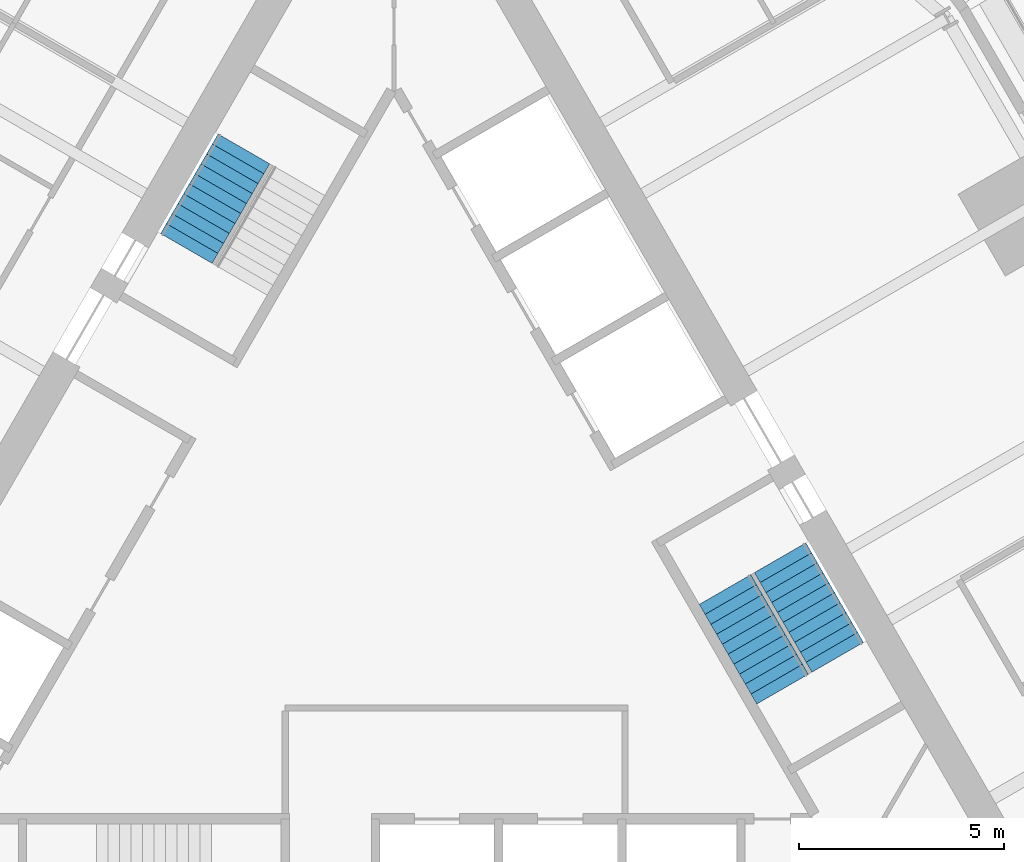
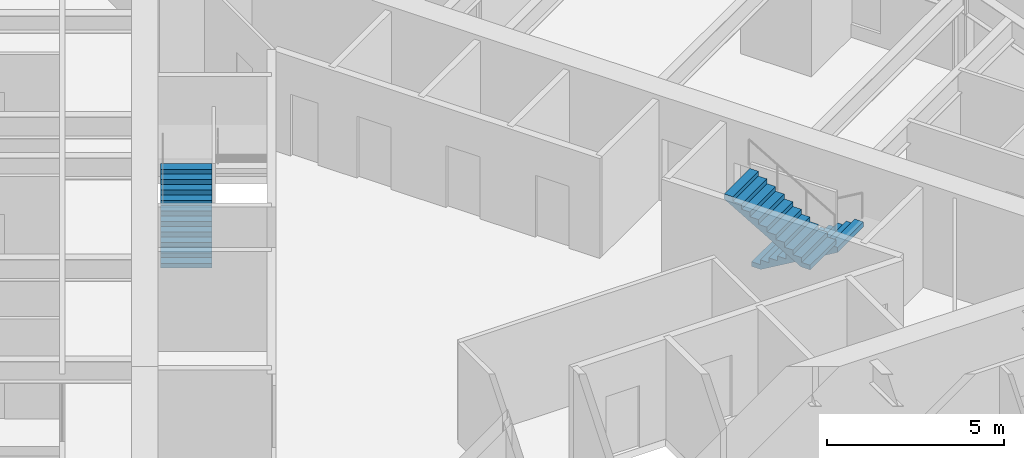
# One storey, part 12 of 13: 3 stair flights, 2 elements without a shape of their own.
"""IFC4 building model written with IfcOpenShell, lengths in metres."""

import ifcopenshell
import ifcopenshell.guid

model = None  # the IFC model being written
_history = None  # IfcOwnerHistory: only IFC2X3 demands one
_inside = {}  # id of a spatial element -> (the spatial element, [elements in it])
_under = {}  # id of a project, library or spatial element -> (it, [spatial elements below it])
_declared = {}  # id of a project -> (the project, [libraries it declares])
_typed = {}  # id of a type object -> (the type object, [elements of that type])
_made_of = {}  # id of a material, layer set ... -> (it, [elements and type objects made of it])


def new_model(schema):
    """Start an empty IFC model of exactly this schema.

    Asked for "IFC4X3", IfcOpenShell would pick the latest addendum, in which some entities
    have other attributes; the version numbers below select the first issue.
    IFC2X3 requires an IfcOwnerHistory on every rooted entity: one is made here for all.
    """
    global model, _history
    if schema == "IFC4X3":
        model = ifcopenshell.file(schema_version=(4, 3, 0, 0))
    else:
        model = ifcopenshell.file(schema=schema)
    _inside.clear()
    _under.clear()
    _declared.clear()
    _typed.clear()
    _made_of.clear()
    _history = None
    if model.schema == "IFC2X3":
        org = make("IfcOrganization", Name="unknown")
        user = make(
            "IfcPersonAndOrganization",
            ThePerson=make("IfcPerson", FamilyName="unknown"),
            TheOrganization=org,
        )
        app = make(
            "IfcApplication",
            ApplicationDeveloper=org,
            Version="unknown",
            ApplicationFullName="unknown",
            ApplicationIdentifier="unknown",
        )
        _history = make(
            "IfcOwnerHistory",
            OwningUser=user,
            OwningApplication=app,
            ChangeAction="ADDED",
            CreationDate=0,
        )
    return model


def make(cls, **values):
    """One entity of the class cls with the attributes given. An attribute that is None is left unset."""
    return model.create_entity(
        cls, **{name: value for name, value in values.items() if value is not None}
    )


def rooted(cls, **values):
    """An entity with a GlobalId (a new one), such as an element, a storey or a relation."""
    return make(cls, GlobalId=ifcopenshell.guid.new(), OwnerHistory=_history, **values)


def si_unit(unit_type, name, prefix=None):
    """IfcSIUnit, for example si_unit("LENGTHUNIT", "METRE", prefix="MILLI")."""
    return make("IfcSIUnit", UnitType=unit_type, Prefix=prefix, Name=name)


def assignment(units):
    """IfcUnitAssignment: the units of a project."""
    return None if units is None else make("IfcUnitAssignment", Units=units)


def point(xyz):
    """IfcCartesianPoint."""
    return None if xyz is None else make("IfcCartesianPoint", Coordinates=xyz)


def direction(xyz):
    """IfcDirection."""
    return None if xyz is None else make("IfcDirection", DirectionRatios=xyz)


def frame(location, z_axis=None, x_axis=None):
    """IfcAxis2Placement3D, a coordinate frame: its origin and axes. An axis left out is left unset."""
    return make(
        "IfcAxis2Placement3D",
        Location=point(location),
        Axis=direction(z_axis),
        RefDirection=direction(x_axis),
    )


def origin():
    """The frame at (0, 0, 0) with its axes left unset."""
    return frame((0.0, 0.0, 0.0))


def place(relative_to, where):
    """IfcLocalPlacement: puts the frame where relative to a parent placement (None: the world)."""
    return make(
        "IfcLocalPlacement", PlacementRelTo=relative_to, RelativePlacement=where
    )


def context(
    kind, dimensions, precision=None, world=None, true_north=None, identifier=None
):
    """IfcGeometricRepresentationContext, for example the 3D "Model" context."""
    return make(
        "IfcGeometricRepresentationContext",
        ContextIdentifier=identifier,
        ContextType=kind,
        CoordinateSpaceDimension=dimensions,
        Precision=precision,
        WorldCoordinateSystem=world,
        TrueNorth=true_north,
    )


def subcontext(parent, identifier, kind, view, scale=None):
    """IfcGeometricRepresentationSubContext, for example "Body" below "Model"."""
    return make(
        "IfcGeometricRepresentationSubContext",
        ContextIdentifier=identifier,
        ContextType=kind,
        ParentContext=parent,
        TargetScale=scale,
        TargetView=view,
    )


def project(units=None, contexts=None):
    """IfcProject with its units and contexts."""
    return rooted(
        "IfcProject",
        Name="project",
        RepresentationContexts=contexts,
        UnitsInContext=assignment(units),
    )


def spatial(cls, under=None, at=None, **own):
    """A site, building, storey or space (cls), placed at a placement, below another one or the project."""
    s = rooted(cls, ObjectPlacement=at, **own)
    if under is not None:
        _under.setdefault(under.id(), (under, []))[1].append(s)
    return s


def polyline(points):
    """IfcPolyline through the points."""
    return make("IfcPolyline", Points=[point(p) for p in points])


def outline(outer, holes=None, kind="AREA"):
    """IfcArbitraryClosedProfileDef: a profile drawn as a closed curve; with holes, ...WithVoids."""
    if holes is None:
        return make("IfcArbitraryClosedProfileDef", ProfileType=kind, OuterCurve=outer)
    return make(
        "IfcArbitraryProfileDefWithVoids",
        ProfileType=kind,
        OuterCurve=outer,
        InnerCurves=holes,
    )


def extrude(swept, where, along, depth):
    """IfcExtrudedAreaSolid: the profile swept, set in the frame where, extruded along a direction by depth."""
    return make(
        "IfcExtrudedAreaSolid",
        SweptArea=swept,
        Position=where,
        ExtrudedDirection=direction(along),
        Depth=depth,
    )


def shape(context_of_items, identifier, shape_type, items):
    """IfcShapeRepresentation: the items that make up one representation, for example the "Body"."""
    return make(
        "IfcShapeRepresentation",
        ContextOfItems=context_of_items,
        RepresentationIdentifier=identifier,
        RepresentationType=shape_type,
        Items=items,
    )


def material(Name=None, Category=None):
    """IfcMaterial."""
    return make("IfcMaterial", Name=Name, Category=Category)


def made_of(thing, what):
    """Note that an element or type object is made of a material, layer set ...; save() writes the relation."""
    if what is not None:
        _made_of.setdefault(what.id(), (what, []))[1].append(thing)
    return thing


def type_object(cls, material=None, **own):
    """A type object (cls), such as IfcWallType, which elements share."""
    return made_of(rooted(cls, **own), material)


def element(
    cls,
    number,
    at=None,
    inside=None,
    cuts=None,
    type_object=None,
    material=None,
    context=None,
    identifier="Body",
    shape_type=None,
    held_by="IfcProductDefinitionShape",
    body=None,
    shapes=None,
    **own,
):
    """One element of the class cls, such as IfcWall. Its Tag is "e" and its number.

    at: its placement. inside: the storey or other place that contains it. cuts: it is an
    opening in that element (IfcRelVoidsElement). A single representation is given by context,
    identifier, shape_type and body (its items); several are given by shapes. held_by: the class
    of the entity that holds the representations. save() writes the other relations.
    """
    e = rooted(cls, Tag="e%d" % number, ObjectPlacement=at, **own)
    if body is not None:
        shapes = [shape(context, identifier, shape_type, body)]
    if shapes is not None:
        e.Representation = make(held_by, Representations=shapes)
    if inside is not None:
        _inside.setdefault(inside.id(), (inside, []))[1].append(e)
    if cuts is not None:
        rooted(
            "IfcRelVoidsElement", RelatingBuildingElement=cuts, RelatedOpeningElement=e
        )
    if type_object is not None:
        _typed.setdefault(type_object.id(), (type_object, []))[1].append(e)
    return made_of(e, material)


def aggregate(whole, parts):
    """IfcRelAggregates: a whole, such as a stair, and the parts it consists of."""
    return rooted("IfcRelAggregates", RelatingObject=whole, RelatedObjects=parts)


def save(model, path):
    """Write the relations noted so far, then the file.

    IfcRelAggregates (storeys below a building ...), IfcRelContainedInSpatialStructure (elements
    in a storey), IfcRelDefinesByType, IfcRelAssociatesMaterial and IfcRelDeclares: one each for
    every whole, place, type object, material and project.
    """
    for whole, parts in _under.values():
        aggregate(whole, parts)
    for where, things in _inside.values():
        rooted(
            "IfcRelContainedInSpatialStructure",
            RelatedElements=things,
            RelatingStructure=where,
        )
    for kind, things in _typed.values():
        rooted("IfcRelDefinesByType", RelatedObjects=things, RelatingType=kind)
    for what, things in _made_of.values():
        rooted("IfcRelAssociatesMaterial", RelatedObjects=things, RelatingMaterial=what)
    for by, libraries in _declared.values():
        rooted("IfcRelDeclares", RelatingContext=by, RelatedDefinitions=libraries)
    model.write(path)


model = new_model("IFC4")

# Units and contexts
model_context = context("Model", 3, precision=1e-05, world=origin(), true_north=direction((0.0, 1.0)))
body_context = subcontext(model_context, "Body", "Model", "MODEL_VIEW")
ifc_project = project(units=[si_unit("LENGTHUNIT", "METRE"), si_unit("AREAUNIT", "SQUARE_METRE"), si_unit("VOLUMEUNIT", "CUBIC_METRE"), si_unit("PLANEANGLEUNIT", "RADIAN"), si_unit("MASSUNIT", "GRAM", prefix="KILO")], contexts=[model_context])

# Site, building, storey
site_placement = place(None, origin())
site = spatial("IfcSite", under=ifc_project, at=site_placement, CompositionType="ELEMENT")
building_placement = place(site_placement, origin())
building = spatial("IfcBuilding", under=site, at=building_placement, Name="Trikona Tower", CompositionType="ELEMENT")
storey_placement = place(building_placement, frame((0.0, 0.0, 239.300048828125)))
storey = spatial("IfcBuildingStorey", under=building, at=storey_placement, Name="L63", CompositionType="ELEMENT", Elevation=239.300048828125)

# Stair, stair flights
ifc_material_1 = material(Name="Concrete f'c 5000 psi", Category="concrete")
stair_type = type_object("IfcStairType", Name="Core stair", PredefinedType="HALF_TURN_STAIR", material=ifc_material_1)
stair_1_placement = place(storey_placement, origin())
stair_1 = element("IfcStair", 1, at=stair_1_placement, inside=storey, type_object=stair_type, Name="Stair B L63", PredefinedType="HALF_TURN_STAIR")
ifc_material_2 = material(Name="Concrete f'c 5000 psi", Category="concrete")
stair_flight_type = type_object("IfcStairFlightType", Name="Core stair flight 1450", PredefinedType="STRAIGHT", material=ifc_material_2)
stair_flight_1_placement = place(storey_placement, frame((9.407470703125, 0.408447265625, 0.0), z_axis=(0.0, 0.0, 1.0), x_axis=(0.5, -0.866025403784, 0.0)))
stair_flight_1 = element("IfcStairFlight", 2, at=stair_flight_1_placement, type_object=stair_flight_type, Name="ST-B flight 1", NumberOfRisers=11, NumberOfTreads=10, PredefinedType="STRAIGHT", RiserHeight=0.163636, TreadLength=0.28, context=body_context, shape_type="SweptSolid", body=[
    extrude(outline(polyline([(0.0, 0.0), (0.0, 0.16357421875), (0.280029296875, 0.16357421875), (0.280029296875, 0.327392578125), (0.56005859375, 0.327392578125), (0.56005859375, 0.490966796875), (0.840087890625, 0.490966796875), (0.840087890625, 0.654541015625), (1.1201171875, 0.654541015625), (1.1201171875, 0.818115234375), (1.39990234375, 0.818115234375), (1.39990234375, 0.98193359375), (1.679931640625, 0.98193359375), (1.679931640625, 1.1455078125), (1.9599609375, 1.1455078125), (1.9599609375, 1.30908203125), (2.239990234375, 1.30908203125), (2.239990234375, 1.47265625), (2.52001953125, 1.47265625), (2.52001953125, 1.636474609375), (2.800048828125, 1.636474609375), (2.800048828125, 1.800048828125), (2.800048828125, 1.462646484375), (0.297119140625, 0.0), (0.0, 0.0)])), frame((0.0, 0.72509765625, 0.0), z_axis=(0.0, -1.0, 0.0), x_axis=(1.0, 0.0, 0.0)), (0.0, 0.0, 1.0), 1.449951171875),
])
stair_flight_2_placement = place(storey_placement, frame((9.465087890625, -2.79150390625, 1.800048828125), z_axis=(0.0, 0.0, 1.0), x_axis=(-0.5, 0.866025403784, 0.0)))
stair_flight_2 = element("IfcStairFlight", 3, at=stair_flight_2_placement, type_object=stair_flight_type, Name="ST-B flight 2", NumberOfRisers=11, NumberOfTreads=10, PredefinedType="STRAIGHT", RiserHeight=0.163636, TreadLength=0.28, context=body_context, shape_type="SweptSolid", body=[
    extrude(outline(polyline([(0.0, 0.0), (0.0, 0.16357421875), (0.280029296875, 0.16357421875), (0.280029296875, 0.327392578125), (0.56005859375, 0.327392578125), (0.56005859375, 0.490966796875), (0.840087890625, 0.490966796875), (0.840087890625, 0.654541015625), (1.1201171875, 0.654541015625), (1.1201171875, 0.818115234375), (1.39990234375, 0.818115234375), (1.39990234375, 0.98193359375), (1.679931640625, 0.98193359375), (1.679931640625, 1.1455078125), (1.9599609375, 1.1455078125), (1.9599609375, 1.30908203125), (2.239990234375, 1.30908203125), (2.239990234375, 1.47265625), (2.52001953125, 1.47265625), (2.52001953125, 1.636474609375), (2.800048828125, 1.636474609375), (2.800048828125, 1.800048828125), (2.800048828125, 1.462646484375), (0.297119140625, 0.0), (0.0, 0.0)])), frame((0.0, 0.72509765625, 0.0), z_axis=(0.0, -1.0, 0.0), x_axis=(1.0, 0.0, 0.0)), (0.0, 0.0, 1.0), 1.449951171875),
])
aggregate(stair_1, [stair_flight_1, stair_flight_2])

# Stair, stair flight
stair_2_placement = place(storey_placement, origin())
stair_2 = element("IfcStair", 4, at=stair_2_placement, inside=storey, type_object=stair_type, Name="Stair C L63", PredefinedType="HALF_TURN_STAIR")
stair_flight_3_placement = place(storey_placement, frame((-5.057373046875, 7.94287109375, 0.0), z_axis=(0.0, 0.0, 1.0), x_axis=(0.5, 0.866025403784, 0.0)))
stair_flight_3 = element("IfcStairFlight", 5, at=stair_flight_3_placement, type_object=stair_flight_type, Name="ST-C flight 1", NumberOfRisers=11, NumberOfTreads=10, PredefinedType="STRAIGHT", RiserHeight=0.163636, TreadLength=0.28, context=body_context, shape_type="SweptSolid", body=[
    extrude(outline(polyline([(0.0, 0.0), (0.0, 0.16357421875), (0.280029296875, 0.16357421875), (0.280029296875, 0.327392578125), (0.56005859375, 0.327392578125), (0.56005859375, 0.490966796875), (0.840087890625, 0.490966796875), (0.840087890625, 0.654541015625), (1.1201171875, 0.654541015625), (1.1201171875, 0.818115234375), (1.39990234375, 0.818115234375), (1.39990234375, 0.98193359375), (1.679931640625, 0.98193359375), (1.679931640625, 1.1455078125), (1.9599609375, 1.1455078125), (1.9599609375, 1.30908203125), (2.239990234375, 1.30908203125), (2.239990234375, 1.47265625), (2.52001953125, 1.47265625), (2.52001953125, 1.636474609375), (2.800048828125, 1.636474609375), (2.800048828125, 1.800048828125), (2.800048828125, 1.462646484375), (0.297119140625, 0.0), (0.0, 0.0)])), frame((0.0, 0.72509765625, 0.0), z_axis=(0.0, -1.0, 0.0), x_axis=(1.0, 0.0, 0.0)), (0.0, 0.0, 1.0), 1.449951171875),
])
aggregate(stair_2, [stair_flight_3])

save(model, "model.ifc")
